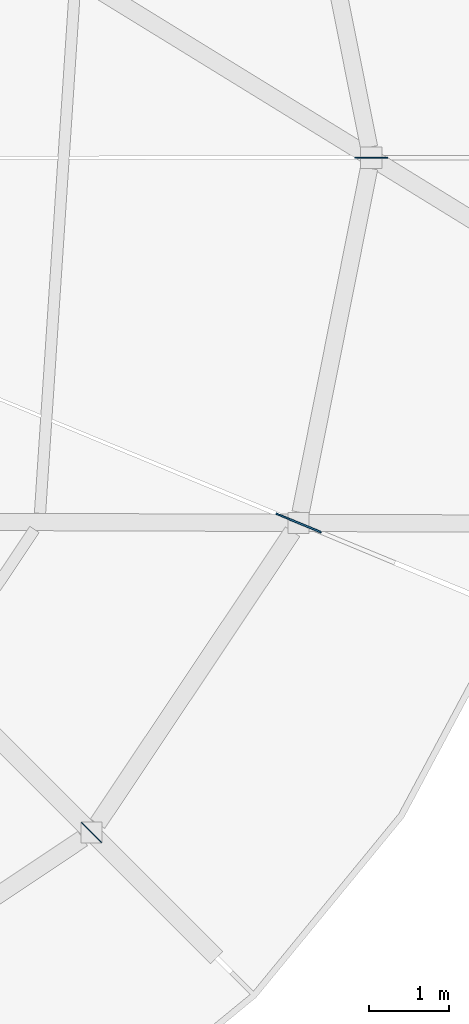
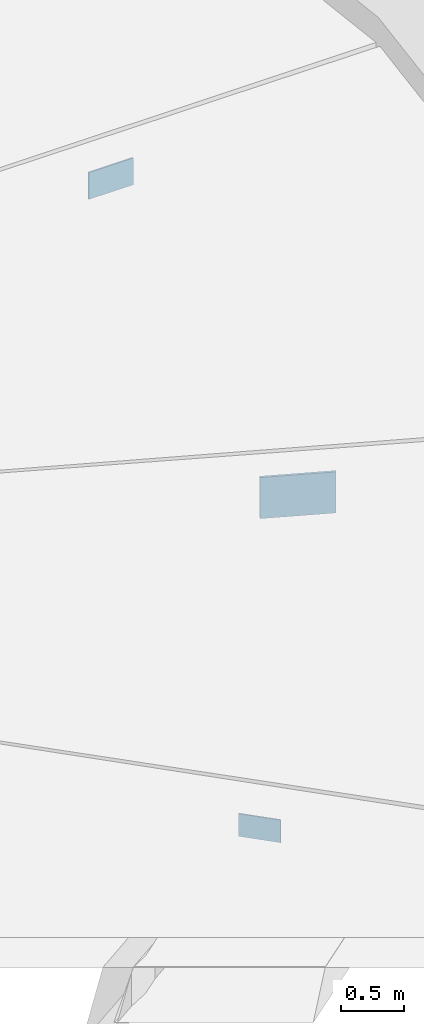
# One storey, part 13 of 30: 3 plates.
"""IFC4 building model written with IfcOpenShell, lengths in metres."""

import ifcopenshell
import ifcopenshell.guid

model = None  # the IFC model being written
_history = None  # IfcOwnerHistory: only IFC2X3 demands one
_inside = {}  # id of a spatial element -> (the spatial element, [elements in it])
_under = {}  # id of a project, library or spatial element -> (it, [spatial elements below it])
_declared = {}  # id of a project -> (the project, [libraries it declares])
_typed = {}  # id of a type object -> (the type object, [elements of that type])
_made_of = {}  # id of a material, layer set ... -> (it, [elements and type objects made of it])


def new_model(schema):
    """Start an empty IFC model of exactly this schema.

    Asked for "IFC4X3", IfcOpenShell would pick the latest addendum, in which some entities
    have other attributes; the version numbers below select the first issue.
    IFC2X3 requires an IfcOwnerHistory on every rooted entity: one is made here for all.
    """
    global model, _history
    if schema == "IFC4X3":
        model = ifcopenshell.file(schema_version=(4, 3, 0, 0))
    else:
        model = ifcopenshell.file(schema=schema)
    _inside.clear()
    _under.clear()
    _declared.clear()
    _typed.clear()
    _made_of.clear()
    _history = None
    if model.schema == "IFC2X3":
        org = make("IfcOrganization", Name="unknown")
        user = make(
            "IfcPersonAndOrganization",
            ThePerson=make("IfcPerson", FamilyName="unknown"),
            TheOrganization=org,
        )
        app = make(
            "IfcApplication",
            ApplicationDeveloper=org,
            Version="unknown",
            ApplicationFullName="unknown",
            ApplicationIdentifier="unknown",
        )
        _history = make(
            "IfcOwnerHistory",
            OwningUser=user,
            OwningApplication=app,
            ChangeAction="ADDED",
            CreationDate=0,
        )
    return model


def make(cls, **values):
    """One entity of the class cls with the attributes given. An attribute that is None is left unset."""
    return model.create_entity(
        cls, **{name: value for name, value in values.items() if value is not None}
    )


def rooted(cls, **values):
    """An entity with a GlobalId (a new one), such as an element, a storey or a relation."""
    return make(cls, GlobalId=ifcopenshell.guid.new(), OwnerHistory=_history, **values)


def si_unit(unit_type, name, prefix=None):
    """IfcSIUnit, for example si_unit("LENGTHUNIT", "METRE", prefix="MILLI")."""
    return make("IfcSIUnit", UnitType=unit_type, Prefix=prefix, Name=name)


def assignment(units):
    """IfcUnitAssignment: the units of a project."""
    return None if units is None else make("IfcUnitAssignment", Units=units)


def point(xyz):
    """IfcCartesianPoint."""
    return None if xyz is None else make("IfcCartesianPoint", Coordinates=xyz)


def direction(xyz):
    """IfcDirection."""
    return None if xyz is None else make("IfcDirection", DirectionRatios=xyz)


def frame(location, z_axis=None, x_axis=None):
    """IfcAxis2Placement3D, a coordinate frame: its origin and axes. An axis left out is left unset."""
    return make(
        "IfcAxis2Placement3D",
        Location=point(location),
        Axis=direction(z_axis),
        RefDirection=direction(x_axis),
    )


def frame_2d(location, x_axis=None):
    """IfcAxis2Placement2D, a coordinate frame in the plane: its origin and x axis."""
    return make(
        "IfcAxis2Placement2D", Location=point(location), RefDirection=direction(x_axis)
    )


def origin():
    """The frame at (0, 0, 0) with its axes left unset."""
    return frame((0.0, 0.0, 0.0))


def origin_2d():
    """The frame at (0, 0) in the plane with its x axis left unset."""
    return frame_2d((0.0, 0.0))


def place(relative_to, where):
    """IfcLocalPlacement: puts the frame where relative to a parent placement (None: the world)."""
    return make(
        "IfcLocalPlacement", PlacementRelTo=relative_to, RelativePlacement=where
    )


def context(
    kind, dimensions, precision=None, world=None, true_north=None, identifier=None
):
    """IfcGeometricRepresentationContext, for example the 3D "Model" context."""
    return make(
        "IfcGeometricRepresentationContext",
        ContextIdentifier=identifier,
        ContextType=kind,
        CoordinateSpaceDimension=dimensions,
        Precision=precision,
        WorldCoordinateSystem=world,
        TrueNorth=true_north,
    )


def subcontext(parent, identifier, kind, view, scale=None):
    """IfcGeometricRepresentationSubContext, for example "Body" below "Model"."""
    return make(
        "IfcGeometricRepresentationSubContext",
        ContextIdentifier=identifier,
        ContextType=kind,
        ParentContext=parent,
        TargetScale=scale,
        TargetView=view,
    )


def project(units=None, contexts=None):
    """IfcProject with its units and contexts."""
    return rooted(
        "IfcProject",
        Name="project",
        RepresentationContexts=contexts,
        UnitsInContext=assignment(units),
    )


def spatial(cls, under=None, at=None, **own):
    """A site, building, storey or space (cls), placed at a placement, below another one or the project."""
    s = rooted(cls, ObjectPlacement=at, **own)
    if under is not None:
        _under.setdefault(under.id(), (under, []))[1].append(s)
    return s


def profile(cls, at=None, kind="AREA", **sizes):
    """A parametric profile (cls). Its sizes go by their IFC names, for example OverallWidth=200.0."""
    return make(cls, ProfileType=kind, Position=at, **sizes)


def rectangle(**sizes):
    """IfcRectangleProfileDef."""
    return profile("IfcRectangleProfileDef", **sizes)


def extrude(swept, where, along, depth):
    """IfcExtrudedAreaSolid: the profile swept, set in the frame where, extruded along a direction by depth."""
    return make(
        "IfcExtrudedAreaSolid",
        SweptArea=swept,
        Position=where,
        ExtrudedDirection=direction(along),
        Depth=depth,
    )


def shape(context_of_items, identifier, shape_type, items):
    """IfcShapeRepresentation: the items that make up one representation, for example the "Body"."""
    return make(
        "IfcShapeRepresentation",
        ContextOfItems=context_of_items,
        RepresentationIdentifier=identifier,
        RepresentationType=shape_type,
        Items=items,
    )


def material(Name=None, Category=None):
    """IfcMaterial."""
    return make("IfcMaterial", Name=Name, Category=Category)


def layer(
    of_material, thickness, ventilated=None, Name=None, Category=None, Priority=None
):
    """IfcMaterialLayer: one layer of a wall or slab, of a material (None: an air gap)."""
    return make(
        "IfcMaterialLayer",
        Material=of_material,
        LayerThickness=thickness,
        IsVentilated=ventilated,
        Name=Name,
        Category=Category,
        Priority=Priority,
    )


def layer_set(layers, Name=None):
    """IfcMaterialLayerSet."""
    return make("IfcMaterialLayerSet", MaterialLayers=layers, LayerSetName=Name)


def made_of(thing, what):
    """Note that an element or type object is made of a material, layer set ...; save() writes the relation."""
    if what is not None:
        _made_of.setdefault(what.id(), (what, []))[1].append(thing)
    return thing


def type_object(cls, material=None, **own):
    """A type object (cls), such as IfcWallType, which elements share."""
    return made_of(rooted(cls, **own), material)


def element(
    cls,
    number,
    at=None,
    inside=None,
    cuts=None,
    type_object=None,
    material=None,
    context=None,
    identifier="Body",
    shape_type=None,
    held_by="IfcProductDefinitionShape",
    body=None,
    shapes=None,
    **own,
):
    """One element of the class cls, such as IfcWall. Its Tag is "e" and its number.

    at: its placement. inside: the storey or other place that contains it. cuts: it is an
    opening in that element (IfcRelVoidsElement). A single representation is given by context,
    identifier, shape_type and body (its items); several are given by shapes. held_by: the class
    of the entity that holds the representations. save() writes the other relations.
    """
    e = rooted(cls, Tag="e%d" % number, ObjectPlacement=at, **own)
    if body is not None:
        shapes = [shape(context, identifier, shape_type, body)]
    if shapes is not None:
        e.Representation = make(held_by, Representations=shapes)
    if inside is not None:
        _inside.setdefault(inside.id(), (inside, []))[1].append(e)
    if cuts is not None:
        rooted(
            "IfcRelVoidsElement", RelatingBuildingElement=cuts, RelatedOpeningElement=e
        )
    if type_object is not None:
        _typed.setdefault(type_object.id(), (type_object, []))[1].append(e)
    return made_of(e, material)


def aggregate(whole, parts):
    """IfcRelAggregates: a whole, such as a stair, and the parts it consists of."""
    return rooted("IfcRelAggregates", RelatingObject=whole, RelatedObjects=parts)


def save(model, path):
    """Write the relations noted so far, then the file.

    IfcRelAggregates (storeys below a building ...), IfcRelContainedInSpatialStructure (elements
    in a storey), IfcRelDefinesByType, IfcRelAssociatesMaterial and IfcRelDeclares: one each for
    every whole, place, type object, material and project.
    """
    for whole, parts in _under.values():
        aggregate(whole, parts)
    for where, things in _inside.values():
        rooted(
            "IfcRelContainedInSpatialStructure",
            RelatedElements=things,
            RelatingStructure=where,
        )
    for kind, things in _typed.values():
        rooted("IfcRelDefinesByType", RelatedObjects=things, RelatingType=kind)
    for what, things in _made_of.values():
        rooted("IfcRelAssociatesMaterial", RelatedObjects=things, RelatingMaterial=what)
    for by, libraries in _declared.values():
        rooted("IfcRelDeclares", RelatingContext=by, RelatedDefinitions=libraries)
    model.write(path)


model = new_model("IFC4")

# Units and contexts
model_context = context("Model", 3, precision=1e-05, world=origin(), true_north=direction((0.0, 1.0)))
body_context = subcontext(model_context, "Body", "Model", "MODEL_VIEW")
ifc_project = project(units=[si_unit("LENGTHUNIT", "METRE"), si_unit("AREAUNIT", "SQUARE_METRE"), si_unit("VOLUMEUNIT", "CUBIC_METRE"), si_unit("PLANEANGLEUNIT", "RADIAN"), si_unit("MASSUNIT", "GRAM", prefix="KILO")], contexts=[model_context])

# Site, building, storey
site_placement = place(None, origin())
site = spatial("IfcSite", under=ifc_project, at=site_placement, CompositionType="ELEMENT")
building_placement = place(site_placement, origin())
building = spatial("IfcBuilding", under=site, at=building_placement, Name="Aldenvaro Health Centre", CompositionType="ELEMENT")
storey_placement = place(building_placement, frame((0.0, 0.0, 17.14990234375)))
storey = spatial("IfcBuildingStorey", under=building, at=storey_placement, Name="L04", CompositionType="ELEMENT", Elevation=17.14990234375)

# Plates
ifc_material = material(Name="Steel ASTM A572 Grade 50", Category="steel")
ifc_layer_1 = layer(ifc_material, 0.013916015625, Name="Steel ASTM A572 Grade 50", Category="steel")
ifc_layer_set_1 = layer_set([ifc_layer_1], Name="Steel ASTM A572 Grade 50")
plate_type_1 = type_object("IfcPlateType", Name="PLT-GUS-07", PredefinedType="SHEET", material=ifc_layer_set_1)
plate_1_placement = place(storey_placement, frame((166.3798828125, 99.5, 0.2431640625), z_axis=(0.0, 0.0, 1.0), x_axis=(1.0, 0.0, 0.0)))
element("IfcPlate", 1, at=plate_1_placement, inside=storey, type_object=plate_type_1, Name="D2 Rafter Eave Gusset 01", PredefinedType="SHEET", context=body_context, shape_type="SweptSolid", body=[
    extrude(rectangle(XDim=0.409912109375, YDim=0.013916015625, at=origin_2d()), origin(), (0.0, 0.0, 1.0), 0.260009765625),
])
ifc_layer_2 = layer(ifc_material, 0.011962890625, Name="Steel ASTM A572 Grade 50", Category="steel")
ifc_layer_set_2 = layer_set([ifc_layer_2], Name="Steel ASTM A572 Grade 50")
plate_type_2 = type_object("IfcPlateType", Name="PLT-GUS-09", PredefinedType="SHEET", material=ifc_layer_set_2)
plate_2_placement = place(storey_placement, frame((162.89990234375, 91.10009765625, 0.26318359375), z_axis=(0.0, 0.0, 1.0), x_axis=(0.707106781187, -0.707106781187, 0.0)))
element("IfcPlate", 2, at=plate_2_placement, inside=storey, type_object=plate_type_2, Name="D2 Rafter Eave Gusset 15", PredefinedType="SHEET", context=body_context, shape_type="SweptSolid", body=[
    extrude(rectangle(XDim=0.35009765625, YDim=0.011962890625, at=origin_2d()), origin(), (0.0, 0.0, 1.0), 0.219970703125),
])
ifc_layer_3 = layer(ifc_material, 0.02099609375, Name="Steel ASTM A572 Grade 50", Category="steel")
ifc_layer_set_3 = layer_set([ifc_layer_3], Name="Steel ASTM A572 Grade 50")
plate_type_3 = type_object("IfcPlateType", Name="PLT-GUS-10", PredefinedType="SHEET", material=ifc_layer_set_3)
plate_3_placement = place(storey_placement, frame((165.47607421875, 94.9541015625, 0.173095703125), z_axis=(0.0, 0.0, 1.0), x_axis=(0.9238916759, -0.382654114316, 0.0)))
element("IfcPlate", 3, at=plate_3_placement, inside=storey, type_object=plate_type_3, Name="D2 Rafter Eave Gusset 16", PredefinedType="SHEET", context=body_context, shape_type="SweptSolid", body=[
    extrude(rectangle(XDim=0.610107421875, YDim=0.02099609375, at=origin_2d()), origin(), (0.0, 0.0, 1.0), 0.39990234375),
])

save(model, "model.ifc")
